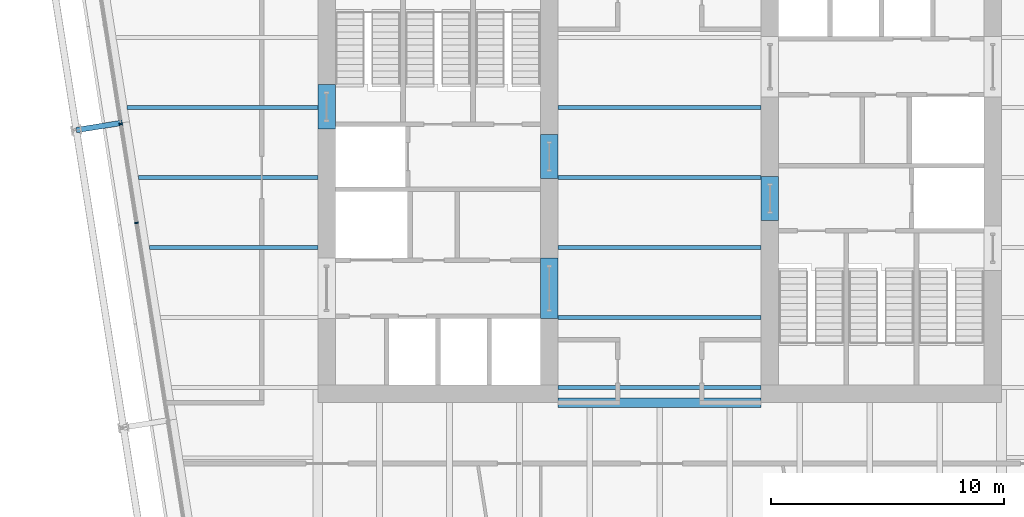
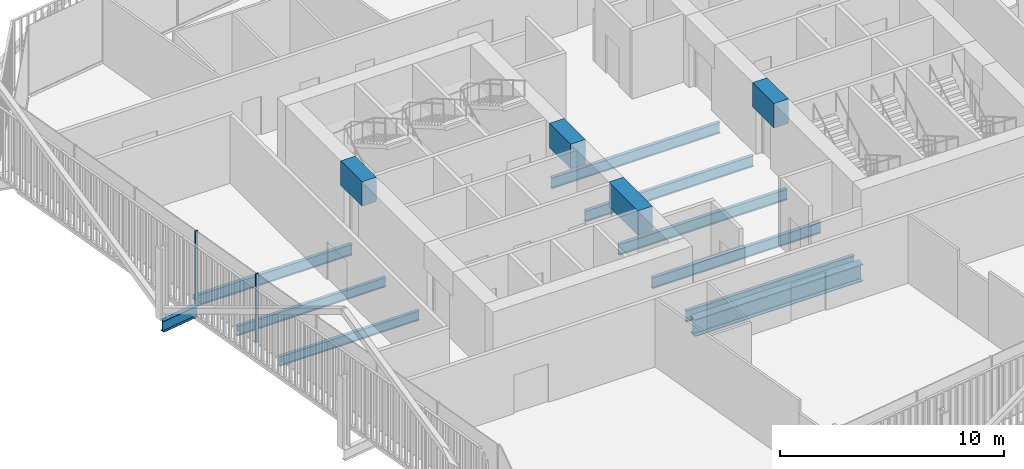
# One storey, part 6 of 22: 14 beams, 2 members, 1 element without a shape of its own.
"""IFC4 building model written with IfcOpenShell, lengths in metres."""

from ifc_helpers import new_model, si_unit, direction, frame, origin, origin_2d, place, context, subcontext, project, spatial, rectangle, i_section, extrude, material, layer, layer_set, material_profile, profile_set, type_object, element, aggregate, save


model = new_model("IFC4")

# Units and contexts
model_context = context("Model", 3, precision=1e-05, world=origin(), true_north=direction((0.0, 1.0)))
body_context = subcontext(model_context, "Body", "Model", "MODEL_VIEW")
ifc_project = project(units=[si_unit("LENGTHUNIT", "METRE"), si_unit("AREAUNIT", "SQUARE_METRE"), si_unit("VOLUMEUNIT", "CUBIC_METRE"), si_unit("PLANEANGLEUNIT", "RADIAN"), si_unit("MASSUNIT", "GRAM", prefix="KILO")], contexts=[model_context])

# Site, building, storey
site_placement = place(None, origin())
site = spatial("IfcSite", under=ifc_project, at=site_placement, CompositionType="ELEMENT")
building_placement = place(site_placement, origin())
building = spatial("IfcBuilding", under=site, at=building_placement, Name="Millrace Tower", CompositionType="ELEMENT")
storey_placement = place(building_placement, frame((0.0, 0.0, 180.0)))
storey = spatial("IfcBuildingStorey", under=building, at=storey_placement, Name="L40", CompositionType="ELEMENT", Elevation=180.0)

# Curtain wall, members
ifc_material_1 = material(Name="Aluminium and glass", Category="aluminium")
ifc_layer = layer(ifc_material_1, 0.14990234375)
ifc_layer_set = layer_set([ifc_layer], Name="Aluminium and glass")
curtain_wall_type = type_object("IfcCurtainWallType", Name="CW-1 office vision curtain wall", PredefinedType="NOTDEFINED", material=ifc_layer_set)
curtain_wall_placement = place(storey_placement, origin())
curtain_wall = element("IfcCurtainWall", 1, at=curtain_wall_placement, inside=storey, type_object=curtain_wall_type, Name="Curtain wall C-F08 L40", PredefinedType="NOTDEFINED")
ifc_material_2 = material(Name="Aluminium", Category="aluminium")
ifc_material_profile_1 = material_profile(ifc_material_2, rectangle(XDim=0.06494140625, YDim=0.14990234375, at=origin_2d()))
ifc_profile_set_1 = profile_set([ifc_material_profile_1], Name="Aluminium")
member_type = type_object("IfcMemberType", Name="CW-1 office vision curtain wall mullion", PredefinedType="MULLION", material=ifc_profile_set_1)
member_1_placement = place(storey_placement, frame((-23.088623046875, 2.300537109375, 0.139892578125), z_axis=(0.0, 0.0, 1.0), x_axis=(0.15643447328, -0.98768833929, 0.0)))
member_1 = element("IfcMember", 2, at=member_1_placement, type_object=member_type, Name="CW1 mullion C-F08.4", PredefinedType="MULLION", context=body_context, shape_type="SweptSolid", body=[
    extrude(rectangle(XDim=0.06494140625, YDim=0.14990234375, at=origin_2d()), origin(), (0.0, 0.0, 1.0), 3.760009765625),
])
member_2_placement = place(storey_placement, frame((-22.416015625, -1.946533203125, 0.139892578125), z_axis=(0.0, 0.0, 1.0), x_axis=(0.15643447328, -0.98768833929, 0.0)))
member_2 = element("IfcMember", 3, at=member_2_placement, type_object=member_type, Name="CW1 mullion C-F08.5", PredefinedType="MULLION", context=body_context, shape_type="SweptSolid", body=[
    extrude(rectangle(XDim=0.06494140625, YDim=0.14990234375, at=origin_2d()), origin(), (0.0, 0.0, 1.0), 3.760009765625),
])
aggregate(curtain_wall, [member_1, member_2])

# Beams
ifc_material_3 = material(Name="Concrete C70", Category="concrete")
ifc_material_profile_2 = material_profile(ifc_material_3, rectangle(XDim=0.75, YDim=1.340087890625, at=origin_2d()))
ifc_profile_set_2 = profile_set([ifc_material_profile_2], Name="Concrete C70")
beam_type_1 = type_object("IfcBeamType", Name="Coupling beam 750 x 1340 Concrete C70, 1300 opening", PredefinedType="BEAM", material=ifc_profile_set_2)
beam_1_placement = place(storey_placement, frame((-14.27490234375, 2.080078125, 3.070068359375), z_axis=(0.0, 1.0, 0.0), x_axis=(-1.0, 0.0, 0.0)))
element("IfcBeam", 4, at=beam_1_placement, inside=storey, type_object=beam_type_1, Name="Coupling beam W L40", PredefinedType="BEAM", context=body_context, shape_type="SweptSolid", body=[
    extrude(rectangle(XDim=0.75, YDim=1.340087890625, at=origin_2d()), origin(), (0.0, 0.0, 1.0), 1.89990234375),
])
for number, where, z_axis, x_axis, name in (
    (5, (-4.72509765625, -0.050048828125, 3.070068359375), (0.0, 1.0, 0.0), (-1.0, 0.0, 0.0), "Coupling beam W L40"),
    (6, (4.72509765625, 0.050048828125, 3.070068359375), (0.0, -1.0, 0.0), (1.0, 0.0, 0.0), "Coupling beam E L40"),
):
    element("IfcBeam", number, at=place(storey_placement, frame(where, z_axis=z_axis, x_axis=x_axis)), inside=storey, type_object=beam_type_1, Name=name, PredefinedType="BEAM", context=body_context, shape_type="SweptSolid", body=[
        extrude(rectangle(XDim=0.75, YDim=1.340087890625, at=origin_2d()), origin(), (0.0, 0.0, 1.0), 1.900146484375),
    ])
ifc_material_4 = material(Name="Concrete C70", Category="concrete")
ifc_material_profile_3 = material_profile(ifc_material_4, rectangle(XDim=0.75, YDim=1.340087890625, at=origin_2d()))
ifc_profile_set_3 = profile_set([ifc_material_profile_3], Name="Concrete C70")
beam_type_2 = type_object("IfcBeamType", Name="Coupling beam 750 x 1340 Concrete C70, 2000 opening", PredefinedType="BEAM", material=ifc_profile_set_3)
beam_2_placement = place(storey_placement, frame((-4.72509765625, -6.050048828125, 3.070068359375), z_axis=(0.0, 1.0, 0.0), x_axis=(-1.0, 0.0, 0.0)))
element("IfcBeam", 7, at=beam_2_placement, inside=storey, type_object=beam_type_2, Name="Coupling beam W L40", PredefinedType="BEAM", context=body_context, shape_type="SweptSolid", body=[
    extrude(rectangle(XDim=0.75, YDim=1.340087890625, at=origin_2d()), origin(), (0.0, 0.0, 1.0), 2.60009765625),
])
ifc_material_5 = material(Name="Steel ASTM A992 Grade 50", Category="steel")
ifc_material_profile_4 = material_profile(ifc_material_5, i_section(OverallWidth=0.1650390625, OverallDepth=0.52587890625, WebThickness=0.0087890625, FlangeThickness=0.011474609375, FilletRadius=0.0126953125, at=origin_2d()))
ifc_profile_set_4 = profile_set([ifc_material_profile_4], Name="Steel ASTM A992 Grade 50")
beam_type_3 = type_object("IfcBeamType", Name="Floor beam W21x44", PredefinedType="JOIST", material=ifc_profile_set_4)
beam_3_placement = place(storey_placement, frame((-21.862060546875, -3.0, -0.4228515625), z_axis=(1.0, 0.0, 0.0), x_axis=(0.0, 1.0, 0.0)))
element("IfcBeam", 8, at=beam_3_placement, inside=storey, type_object=beam_type_3, Name="BM-C-L40-S1-S017", PredefinedType="JOIST", context=body_context, shape_type="SweptSolid", body=[
    extrude(i_section(OverallWidth=0.1650390625, OverallDepth=0.52587890625, WebThickness=0.0087890625, FlangeThickness=0.011474609375, FilletRadius=0.0126953125, at=origin_2d()), origin(), (0.0, 0.0, 1.0), 7.212158203125),
])
beam_4_placement = place(storey_placement, frame((-22.337158203125, 0.0, -0.4228515625), z_axis=(1.0, 0.0, 0.0), x_axis=(0.0, 1.0, 0.0)))
element("IfcBeam", 9, at=beam_4_placement, inside=storey, type_object=beam_type_3, Name="BM-C-L40-S1-S020", PredefinedType="JOIST", context=body_context, shape_type="SweptSolid", body=[
    extrude(i_section(OverallWidth=0.1650390625, OverallDepth=0.52587890625, WebThickness=0.0087890625, FlangeThickness=0.011474609375, FilletRadius=0.0126953125, at=origin_2d()), origin(), (0.0, 0.0, 1.0), 7.687255859375),
])
ifc_material_6 = material(Name="Steel ASTM A992 Grade 50", Category="steel")
ifc_material_profile_5 = material_profile(ifc_material_6, i_section(OverallWidth=0.177978515625, OverallDepth=0.599365234375, WebThickness=0.010009765625, FlangeThickness=0.012939453125, FilletRadius=0.012939453125, at=origin_2d()))
ifc_profile_set_5 = profile_set([ifc_material_profile_5], Name="Steel ASTM A992 Grade 50")
beam_type_4 = type_object("IfcBeamType", Name="Floor beam W24x55", PredefinedType="JOIST", material=ifc_profile_set_5)
for number, where, z_axis, x_axis, name in (
    (10, (-4.35009765625, -9.0, -0.459716796875), (1.0, 0.0, 0.0), (0.0, 1.0, 0.0), "BM-C-L40-S1-S010"),
    (11, (-4.35009765625, -6.0, -0.459716796875), (1.0, 0.0, 0.0), (0.0, 1.0, 0.0), "BM-C-L40-S1-S013"),
    (12, (-4.35009765625, -3.0, -0.459716796875), (1.0, 0.0, 0.0), (0.0, 1.0, 0.0), "BM-C-L40-S1-S016"),
    (13, (-4.35009765625, 0.0, -0.459716796875), (1.0, 0.0, 0.0), (0.0, 1.0, 0.0), "BM-C-L40-S1-S019"),
    (14, (-4.35009765625, 3.0, -0.459716796875), (1.0, 0.0, 0.0), (0.0, 1.0, 0.0), "BM-C-L40-S1-S022"),
):
    element("IfcBeam", number, at=place(storey_placement, frame(where, z_axis=z_axis, x_axis=x_axis)), inside=storey, type_object=beam_type_4, Name=name, PredefinedType="JOIST", context=body_context, shape_type="SweptSolid", body=[
        extrude(i_section(OverallWidth=0.177978515625, OverallDepth=0.599365234375, WebThickness=0.010009765625, FlangeThickness=0.012939453125, FilletRadius=0.012939453125, at=origin_2d()), origin(), (0.0, 0.0, 1.0), 8.7001953125),
    ])
beam_5_placement = place(storey_placement, frame((-22.812255859375, 3.0, -0.459716796875), z_axis=(1.0, 0.0, 0.0), x_axis=(0.0, 1.0, 0.0)))
element("IfcBeam", 15, at=beam_5_placement, inside=storey, type_object=beam_type_4, Name="BM-C-L40-S1-S023", PredefinedType="JOIST", context=body_context, shape_type="SweptSolid", body=[
    extrude(i_section(OverallWidth=0.177978515625, OverallDepth=0.599365234375, WebThickness=0.010009765625, FlangeThickness=0.012939453125, FilletRadius=0.012939453125, at=origin_2d()), origin(), (0.0, 0.0, 1.0), 8.162353515625),
])
ifc_material_7 = material(Name="Steel ASTM A992 Grade 50", Category="steel")
ifc_material_profile_6 = material_profile(ifc_material_7, i_section(OverallWidth=0.419189453125, OverallDepth=0.927001953125, WebThickness=0.019287109375, FlangeThickness=0.031982421875, FilletRadius=0.024169921875, at=origin_2d()))
ifc_profile_set_6 = profile_set([ifc_material_profile_6], Name="Steel ASTM A992 Grade 50")
beam_type_5 = type_object("IfcBeamType", Name="Girder short span W36x231", PredefinedType="BEAM", material=ifc_profile_set_6)
beam_6_placement = place(storey_placement, frame((-4.35009765625, -9.64990234375, -0.62353515625), z_axis=(1.0, 0.0, 0.0), x_axis=(0.0, 1.0, 0.0)))
element("IfcBeam", 16, at=beam_6_placement, inside=storey, type_object=beam_type_5, Name="BM-C-L40-S1-G062", PredefinedType="BEAM", context=body_context, shape_type="SweptSolid", body=[
    extrude(i_section(OverallWidth=0.419189453125, OverallDepth=0.927001953125, WebThickness=0.019287109375, FlangeThickness=0.031982421875, FilletRadius=0.024169921875, at=origin_2d()), origin(), (0.0, 0.0, 1.0), 8.7001953125),
])
ifc_material_8 = material(Name="Steel ASTM A992 Grade 50", Category="steel")
ifc_material_profile_7 = material_profile(ifc_material_8, i_section(OverallWidth=0.23046875, OverallDepth=0.6171875, WebThickness=0.01318359375, FlangeThickness=0.022216796875, FilletRadius=0.012939453125, at=origin_2d()))
ifc_profile_set_7 = profile_set([ifc_material_profile_7], Name="Steel ASTM A992 Grade 50")
beam_type_6 = type_object("IfcBeamType", Name="Link beam W24x94", PredefinedType="BEAM", material=ifc_profile_set_7)
beam_7_placement = place(storey_placement, frame((-23.019775390625, 2.344482421875, -0.468505859375), z_axis=(-0.987678691416, -0.156495375404, 0.0), x_axis=(0.156495375404, -0.987678691416, 0.0)))
element("IfcBeam", 17, at=beam_7_placement, inside=storey, type_object=beam_type_6, Name="LNK-C-L40-S1-03", PredefinedType="BEAM", context=body_context, shape_type="SweptSolid", body=[
    extrude(i_section(OverallWidth=0.23046875, OverallDepth=0.6171875, WebThickness=0.01318359375, FlangeThickness=0.022216796875, FilletRadius=0.012939453125, at=origin_2d()), origin(), (0.0, 0.0, 1.0), 2.0),
])

save(model, "model.ifc")
